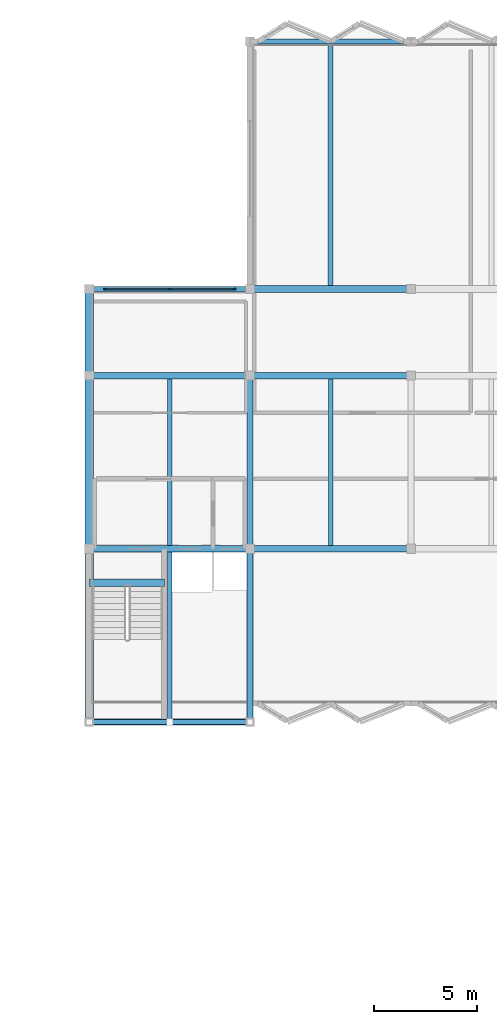
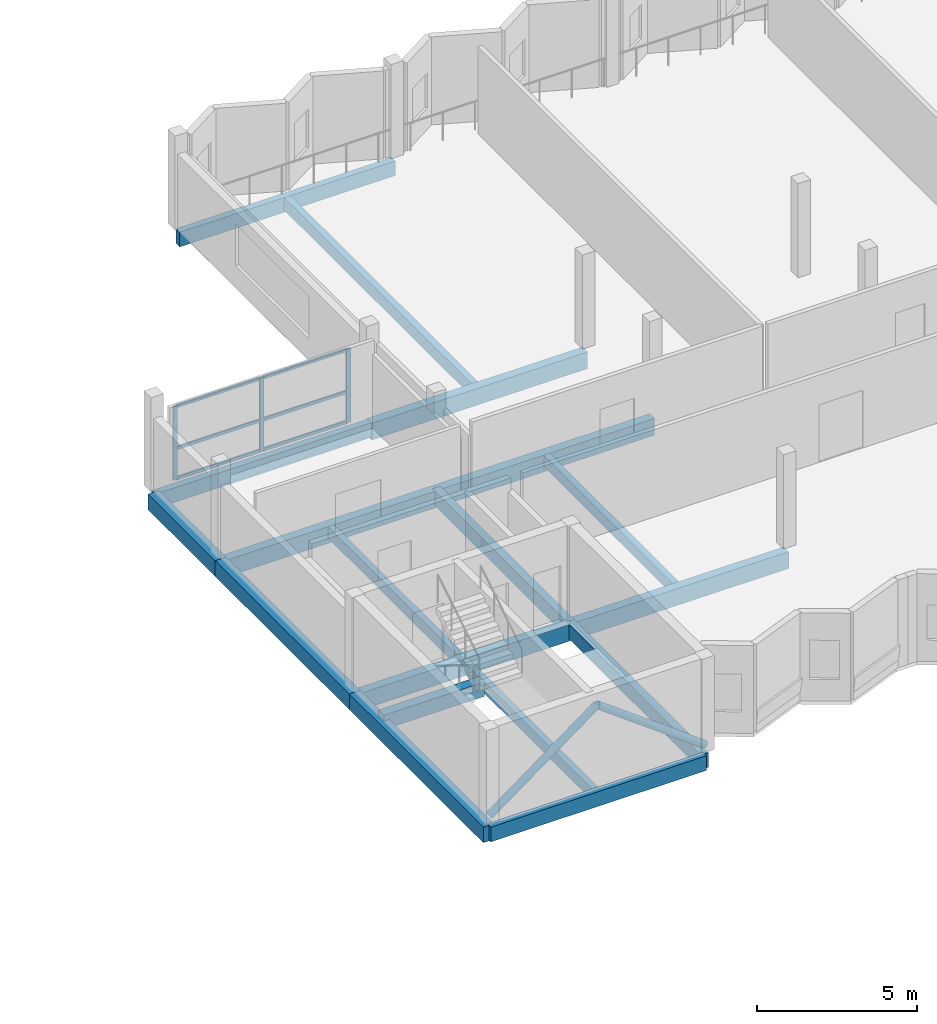
# One storey, part 10 of 25: 18 beams, 11 members, 1 element without a shape of its own.
"""IFC4 building model written with IfcOpenShell, lengths in metres."""

from ifc_helpers import new_model, si_unit, direction, frame, origin, origin_2d, place, context, subcontext, project, spatial, rectangle, hollow_circle, extrude, material, material_profile, profile_set, type_object, element, aggregate, save


model = new_model("IFC4")

# Units and contexts
model_context = context("Model", 3, precision=1e-05, world=origin(), true_north=direction((0.0, 1.0)))
body_context = subcontext(model_context, "Body", "Model", "MODEL_VIEW")
ifc_project = project(units=[si_unit("LENGTHUNIT", "METRE"), si_unit("AREAUNIT", "SQUARE_METRE"), si_unit("VOLUMEUNIT", "CUBIC_METRE"), si_unit("PLANEANGLEUNIT", "RADIAN"), si_unit("MASSUNIT", "GRAM", prefix="KILO")], contexts=[model_context])

# Site, building, storey
site_placement = place(None, origin())
site = spatial("IfcSite", under=ifc_project, at=site_placement, CompositionType="ELEMENT")
building_placement = place(site_placement, origin())
building = spatial("IfcBuilding", under=site, at=building_placement, Name="Vharandega Faculty of Natural Sciences", CompositionType="ELEMENT")
storey_placement = place(building_placement, frame((0.0, 0.0, 25.199951171875)))
storey = spatial("IfcBuildingStorey", under=building, at=storey_placement, Name="L06", CompositionType="ELEMENT", Elevation=25.199951171875)

# Curtain wall, members
ifc_material_1 = material(Name="Aluminium and solar-control glass curtain wall", Category="aluminium")
curtain_wall_type = type_object("IfcCurtainWallType", Name="Unitised Curtain Wall System CW-28", PredefinedType="NOTDEFINED", material=ifc_material_1)
curtain_wall_placement = place(storey_placement, origin())
curtain_wall = element("IfcCurtainWall", 1, at=curtain_wall_placement, inside=storey, type_object=curtain_wall_type, Name="Curtain Wall CW-L06-027", PredefinedType="NOTDEFINED")
ifc_material_2 = material(Name="Thermally broken aluminium 6063-T6", Category="aluminium")
ifc_material_profile_1 = material_profile(ifc_material_2, rectangle(XDim=0.06005859375, YDim=0.159912109375, at=origin_2d()), Name="ALU 60x160")
ifc_profile_set_1 = profile_set([ifc_material_profile_1], Name="Thermally broken aluminium 6063-T6")
member_type_1 = type_object("IfcMemberType", Name="CW Mullion 60x160", PredefinedType="MULLION", material=ifc_profile_set_1)
member_1_placement = place(storey_placement, frame((115.570068359375, 85.0, 0.0), z_axis=(0.0, 0.0, 1.0), x_axis=(0.0, 1.0, 0.0)))
member_1 = element("IfcMember", 2, at=member_1_placement, type_object=member_type_1, Name="CW-28 mullion 1", PredefinedType="MULLION", context=body_context, shape_type="SweptSolid", body=[
    extrude(rectangle(XDim=0.06005859375, YDim=0.159912109375, at=origin_2d()), origin(), (0.0, 0.0, 1.0), 2.820068359375),
])
member_2_placement = place(storey_placement, frame((118.699951171875, 85.0, 0.0), z_axis=(0.0, 0.0, 1.0), x_axis=(0.0, 1.0, 0.0)))
member_2 = element("IfcMember", 3, at=member_2_placement, type_object=member_type_1, Name="CW-28 mullion 2", PredefinedType="MULLION", context=body_context, shape_type="SweptSolid", body=[
    extrude(rectangle(XDim=0.06005859375, YDim=0.159912109375, at=origin_2d()), origin(), (0.0, 0.0, 1.0), 2.820068359375),
])
member_3_placement = place(storey_placement, frame((121.830078125, 85.0, 0.0), z_axis=(0.0, 0.0, 1.0), x_axis=(0.0, 1.0, 0.0)))
member_3 = element("IfcMember", 4, at=member_3_placement, type_object=member_type_1, Name="CW-28 mullion 3", PredefinedType="MULLION", context=body_context, shape_type="SweptSolid", body=[
    extrude(rectangle(XDim=0.06005859375, YDim=0.159912109375, at=origin_2d()), origin(), (0.0, 0.0, 1.0), 2.820068359375),
])
ifc_material_3 = material(Name="Thermally broken aluminium 6063-T6", Category="aluminium")
ifc_material_profile_2 = material_profile(ifc_material_3, rectangle(XDim=0.06005859375, YDim=0.1201171875, at=origin_2d()), Name="ALU 60x120")
ifc_profile_set_2 = profile_set([ifc_material_profile_2], Name="Thermally broken aluminium 6063-T6")
member_type_2 = type_object("IfcMemberType", Name="CW Transom 60x120", PredefinedType="USERDEFINED", material=ifc_profile_set_2)
member_4_placement = place(storey_placement, frame((115.60009765625, 85.0, 0.030029296875), z_axis=(1.0, 0.0, 0.0), x_axis=(0.0, 1.0, 0.0)))
member_4 = element("IfcMember", 5, at=member_4_placement, type_object=member_type_2, Name="CW-28 transom 1.1", ObjectType="TRANSOM", PredefinedType="USERDEFINED", context=body_context, shape_type="SweptSolid", body=[
    extrude(rectangle(XDim=0.06005859375, YDim=0.1201171875, at=origin_2d()), origin(), (0.0, 0.0, 1.0), 3.06982421875),
])
member_5_placement = place(storey_placement, frame((115.60009765625, 85.0, 1.1845703125), z_axis=(1.0, 0.0, 0.0), x_axis=(0.0, 1.0, 0.0)))
member_5 = element("IfcMember", 6, at=member_5_placement, type_object=member_type_2, Name="CW-28 transom 1.2", ObjectType="TRANSOM", PredefinedType="USERDEFINED", context=body_context, shape_type="SweptSolid", body=[
    extrude(rectangle(XDim=0.06005859375, YDim=0.1201171875, at=origin_2d()), origin(), (0.0, 0.0, 1.0), 3.06982421875),
])
member_6_placement = place(storey_placement, frame((115.60009765625, 85.0, 2.7900390625), z_axis=(1.0, 0.0, 0.0), x_axis=(0.0, 1.0, 0.0)))
member_6 = element("IfcMember", 7, at=member_6_placement, type_object=member_type_2, Name="CW-28 transom 1.3", ObjectType="TRANSOM", PredefinedType="USERDEFINED", context=body_context, shape_type="SweptSolid", body=[
    extrude(rectangle(XDim=0.06005859375, YDim=0.1201171875, at=origin_2d()), origin(), (0.0, 0.0, 1.0), 3.06982421875),
])
member_7_placement = place(storey_placement, frame((118.72998046875, 85.0, 0.030029296875), z_axis=(1.0, 0.0, 0.0), x_axis=(0.0, 1.0, 0.0)))
member_7 = element("IfcMember", 8, at=member_7_placement, type_object=member_type_2, Name="CW-28 transom 2.1", ObjectType="TRANSOM", PredefinedType="USERDEFINED", context=body_context, shape_type="SweptSolid", body=[
    extrude(rectangle(XDim=0.06005859375, YDim=0.1201171875, at=origin_2d()), origin(), (0.0, 0.0, 1.0), 3.070068359375),
])
member_8_placement = place(storey_placement, frame((118.72998046875, 85.0, 1.1845703125), z_axis=(1.0, 0.0, 0.0), x_axis=(0.0, 1.0, 0.0)))
member_8 = element("IfcMember", 9, at=member_8_placement, type_object=member_type_2, Name="CW-28 transom 2.2", ObjectType="TRANSOM", PredefinedType="USERDEFINED", context=body_context, shape_type="SweptSolid", body=[
    extrude(rectangle(XDim=0.06005859375, YDim=0.1201171875, at=origin_2d()), origin(), (0.0, 0.0, 1.0), 3.070068359375),
])
member_9_placement = place(storey_placement, frame((118.72998046875, 85.0, 2.7900390625), z_axis=(1.0, 0.0, 0.0), x_axis=(0.0, 1.0, 0.0)))
member_9 = element("IfcMember", 10, at=member_9_placement, type_object=member_type_2, Name="CW-28 transom 2.3", ObjectType="TRANSOM", PredefinedType="USERDEFINED", context=body_context, shape_type="SweptSolid", body=[
    extrude(rectangle(XDim=0.06005859375, YDim=0.1201171875, at=origin_2d()), origin(), (0.0, 0.0, 1.0), 3.070068359375),
])
aggregate(curtain_wall, [member_1, member_2, member_3, member_4, member_5, member_6, member_7, member_8, member_9])

# Beams
ifc_material_4 = material(Name="Glulam GL28h", Category="wood")
ifc_material_profile_3 = material_profile(ifc_material_4, rectangle(XDim=0.280029296875, YDim=0.56005859375, at=origin_2d()), Name="GL28h 280x560")
ifc_profile_set_3 = profile_set([ifc_material_profile_3], Name="Glulam GL28h")
beam_type_1 = type_object("IfcBeamType", Name="Glulam Floor Beam 280x560", PredefinedType="BEAM", material=ifc_profile_set_3)
beam_1_placement = place(storey_placement, frame((122.60009765625, 64.0, -0.5), z_axis=(0.0, 1.0, 0.0), x_axis=(-1.0, 0.0, 0.0)))
element("IfcBeam", 11, at=beam_1_placement, inside=storey, type_object=beam_type_1, Name="Beam L06 16/J-K", PredefinedType="BEAM", context=body_context, shape_type="SweptSolid", body=[
    extrude(rectangle(XDim=0.280029296875, YDim=0.56005859375, at=origin_2d()), origin(), (0.0, 0.0, 1.0), 8.39990234375),
])
beam_2_placement = place(storey_placement, frame((122.60009765625, 72.39990234375, -0.5), z_axis=(0.0, 1.0, 0.0), x_axis=(-1.0, 0.0, 0.0)))
element("IfcBeam", 12, at=beam_2_placement, inside=storey, type_object=beam_type_1, Name="Beam L06 16/K-L", PredefinedType="BEAM", context=body_context, shape_type="SweptSolid", body=[
    extrude(rectangle(XDim=0.280029296875, YDim=0.56005859375, at=origin_2d()), origin(), (0.0, 0.0, 1.0), 8.400146484375),
])
ifc_material_5 = material(Name="Glulam GL28h", Category="wood")
ifc_material_profile_4 = material_profile(ifc_material_5, rectangle(XDim=0.320068359375, YDim=0.639892578125, at=origin_2d()), Name="GL28h 320x640")
ifc_profile_set_4 = profile_set([ifc_material_profile_4], Name="Glulam GL28h")
beam_type_2 = type_object("IfcBeamType", Name="Glulam Floor Beam 320x640", PredefinedType="BEAM", material=ifc_profile_set_4)
beam_3_placement = place(storey_placement, frame((114.800048828125, 72.39990234375, -0.5400390625), z_axis=(1.0, 0.0, 0.0), x_axis=(0.0, 1.0, 0.0)))
element("IfcBeam", 13, at=beam_3_placement, inside=storey, type_object=beam_type_2, Name="Beam L06 K/15-16", PredefinedType="BEAM", context=body_context, shape_type="SweptSolid", body=[
    extrude(rectangle(XDim=0.320068359375, YDim=0.639892578125, at=origin_2d()), origin(), (0.0, 0.0, 1.0), 7.800048828125),
])
beam_4_placement = place(storey_placement, frame((122.60009765625, 72.39990234375, -0.5400390625), z_axis=(1.0, 0.0, 0.0), x_axis=(0.0, 1.0, 0.0)))
element("IfcBeam", 14, at=beam_4_placement, inside=storey, type_object=beam_type_2, Name="Beam L06 K/16-17", PredefinedType="BEAM", context=body_context, shape_type="SweptSolid", body=[
    extrude(rectangle(XDim=0.320068359375, YDim=0.639892578125, at=origin_2d()), origin(), (0.0, 0.0, 1.0), 7.7998046875),
])
beam_5_placement = place(storey_placement, frame((114.800048828125, 80.800048828125, -0.5400390625), z_axis=(1.0, 0.0, 0.0), x_axis=(0.0, 1.0, 0.0)))
element("IfcBeam", 15, at=beam_5_placement, inside=storey, type_object=beam_type_2, Name="Beam L06 L/15-16", PredefinedType="BEAM", context=body_context, shape_type="SweptSolid", body=[
    extrude(rectangle(XDim=0.320068359375, YDim=0.639892578125, at=origin_2d()), origin(), (0.0, 0.0, 1.0), 7.800048828125),
])
for number, where, z_axis, x_axis, name in (
    (16, (122.60009765625, 80.800048828125, -0.5400390625), (1.0, 0.0, 0.0), (0.0, 1.0, 0.0), "Beam L06 L/16-17"),
    (17, (122.60009765625, 85.0, -0.5400390625), (1.0, 0.0, 0.0), (0.0, 1.0, 0.0), "Beam L06 M/16-17"),
):
    element("IfcBeam", number, at=place(storey_placement, frame(where, z_axis=z_axis, x_axis=x_axis)), inside=storey, type_object=beam_type_2, Name=name, PredefinedType="BEAM", context=body_context, shape_type="SweptSolid", body=[
        extrude(rectangle(XDim=0.320068359375, YDim=0.639892578125, at=origin_2d()), origin(), (0.0, 0.0, 1.0), 7.7998046875),
    ])
ifc_material_6 = material(Name="Glulam GL28h", Category="wood")
ifc_material_profile_5 = material_profile(ifc_material_6, rectangle(XDim=0.219970703125, YDim=0.43994140625, at=origin_2d()), Name="GL28h 220x440")
ifc_profile_set_5 = profile_set([ifc_material_profile_5], Name="Glulam GL28h")
beam_type_3 = type_object("IfcBeamType", Name="Glulam Secondary Joist 220x440", PredefinedType="JOIST", material=ifc_profile_set_5)
beam_6_placement = place(storey_placement, frame((118.699951171875, 64.1201171875, -0.43994140625), z_axis=(0.0, 1.0, 0.0), x_axis=(-1.0, 0.0, 0.0)))
element("IfcBeam", 18, at=beam_6_placement, inside=storey, type_object=beam_type_3, Name="Secondary Joist L06 15-16/J-K", PredefinedType="JOIST", context=body_context, shape_type="SweptSolid", body=[
    extrude(rectangle(XDim=0.219970703125, YDim=0.43994140625, at=origin_2d()), origin(), (0.0, 0.0, 1.0), 8.119873046875),
])
for number, where, z_axis, x_axis, name in (
    (19, (118.699951171875, 72.56005859375, -0.43994140625), (0.0, 1.0, 0.0), (-1.0, 0.0, 0.0), "Secondary Joist L06 15-16/K-L"),
    (20, (126.5, 72.56005859375, -0.43994140625), (0.0, 1.0, 0.0), (-1.0, 0.0, 0.0), "Secondary Joist L06 16-17/K-L"),
):
    element("IfcBeam", number, at=place(storey_placement, frame(where, z_axis=z_axis, x_axis=x_axis)), inside=storey, type_object=beam_type_3, Name=name, PredefinedType="JOIST", context=body_context, shape_type="SweptSolid", body=[
        extrude(rectangle(XDim=0.219970703125, YDim=0.43994140625, at=origin_2d()), origin(), (0.0, 0.0, 1.0), 8.079833984375),
    ])
ifc_material_7 = material(Name="Glulam GL28h", Category="wood")
ifc_material_profile_6 = material_profile(ifc_material_7, rectangle(XDim=0.239990234375, YDim=0.47998046875, at=origin_2d()), Name="GL28h 240x480")
ifc_profile_set_6 = profile_set([ifc_material_profile_6], Name="Glulam GL28h")
beam_type_4 = type_object("IfcBeamType", Name="Glulam Secondary Joist 240x480", PredefinedType="JOIST", material=ifc_profile_set_6)
beam_7_placement = place(storey_placement, frame((126.5, 85.159912109375, -0.4599609375), z_axis=(0.0, 1.0, 0.0), x_axis=(-1.0, 0.0, 0.0)))
element("IfcBeam", 21, at=beam_7_placement, inside=storey, type_object=beam_type_4, Name="Secondary Joist L06 16-17/M-N", PredefinedType="JOIST", context=body_context, shape_type="SweptSolid", body=[
    extrude(rectangle(XDim=0.239990234375, YDim=0.47998046875, at=origin_2d()), origin(), (0.0, 0.0, 1.0), 11.719970703125),
])
ifc_material_8 = material(Name="Glulam GL28h", Category="wood")
ifc_material_profile_7 = material_profile(ifc_material_8, rectangle(XDim=0.239990234375, YDim=0.56005859375, at=origin_2d()), Name="GL28h 240x560")
ifc_profile_set_7 = profile_set([ifc_material_profile_7], Name="Glulam GL28h")
beam_type_5 = type_object("IfcBeamType", Name="Glulam Spandrel Edge Beam 240x560", PredefinedType="SPANDREL", material=ifc_profile_set_7)
for number, where, z_axis, x_axis, name in (
    (22, (114.800048828125, 64.0, -0.5), (1.0, 0.0, 0.0), (0.0, 1.0, 0.0), "Beam L06 J/15-16"),
    (23, (114.800048828125, 85.0, -0.5), (1.0, 0.0, 0.0), (0.0, 1.0, 0.0), "Beam L06 M/15-16"),
):
    element("IfcBeam", number, at=place(storey_placement, frame(where, z_axis=z_axis, x_axis=x_axis)), inside=storey, type_object=beam_type_5, Name=name, PredefinedType="SPANDREL", context=body_context, shape_type="SweptSolid", body=[
        extrude(rectangle(XDim=0.239990234375, YDim=0.56005859375, at=origin_2d()), origin(), (0.0, 0.0, 1.0), 7.800048828125),
    ])
beam_8_placement = place(storey_placement, frame((122.60009765625, 97.0, -0.5), z_axis=(1.0, 0.0, 0.0), x_axis=(0.0, 1.0, 0.0)))
element("IfcBeam", 24, at=beam_8_placement, inside=storey, type_object=beam_type_5, Name="Beam L06 N/16-17", PredefinedType="SPANDREL", context=body_context, shape_type="SweptSolid", body=[
    extrude(rectangle(XDim=0.239990234375, YDim=0.56005859375, at=origin_2d()), origin(), (0.0, 0.0, 1.0), 7.7998046875),
])
ifc_material_9 = material(Name="Glulam GL32h", Category="wood")
ifc_material_profile_8 = material_profile(ifc_material_9, rectangle(XDim=0.39990234375, YDim=0.60009765625, at=origin_2d()), Name="GL32h 400x600")
ifc_profile_set_8 = profile_set([ifc_material_profile_8], Name="Glulam GL32h")
beam_type_6 = type_object("IfcBeamType", Name="Glulam Spine Girder 400x600", PredefinedType="BEAM", material=ifc_profile_set_8)
beam_9_placement = place(storey_placement, frame((114.800048828125, 64.0, -0.52001953125), z_axis=(0.0, 1.0, 0.0), x_axis=(-1.0, 0.0, 0.0)))
element("IfcBeam", 25, at=beam_9_placement, inside=storey, type_object=beam_type_6, Name="Beam L06 15/J-K", PredefinedType="BEAM", context=body_context, shape_type="SweptSolid", body=[
    extrude(rectangle(XDim=0.39990234375, YDim=0.60009765625, at=origin_2d()), origin(), (0.0, 0.0, 1.0), 8.39990234375),
])
beam_10_placement = place(storey_placement, frame((114.800048828125, 72.39990234375, -0.52001953125), z_axis=(0.0, 1.0, 0.0), x_axis=(-1.0, 0.0, 0.0)))
element("IfcBeam", 26, at=beam_10_placement, inside=storey, type_object=beam_type_6, Name="Beam L06 15/K-L", PredefinedType="BEAM", context=body_context, shape_type="SweptSolid", body=[
    extrude(rectangle(XDim=0.39990234375, YDim=0.60009765625, at=origin_2d()), origin(), (0.0, 0.0, 1.0), 8.400146484375),
])
beam_11_placement = place(storey_placement, frame((114.800048828125, 80.800048828125, -0.52001953125), z_axis=(0.0, 1.0, 0.0), x_axis=(-1.0, 0.0, 0.0)))
element("IfcBeam", 27, at=beam_11_placement, inside=storey, type_object=beam_type_6, Name="Beam L06 15/L-M", PredefinedType="BEAM", context=body_context, shape_type="SweptSolid", body=[
    extrude(rectangle(XDim=0.39990234375, YDim=0.60009765625, at=origin_2d()), origin(), (0.0, 0.0, 1.0), 4.199951171875),
])

# Members
ifc_material_10 = material(Name="Steel S355", Category="steel")
ifc_material_profile_9 = material_profile(ifc_material_10, hollow_circle(Radius=0.136474609375, WallThickness=0.01611328125, at=origin_2d()), Name="CHS 273x16")
ifc_profile_set_9 = profile_set([ifc_material_profile_9], Name="Steel S355")
member_type_3 = type_object("IfcMemberType", Name="Perimeter Chevron Brace CHS 273", PredefinedType="BRACE", material=ifc_profile_set_9)
member_10_placement = place(storey_placement, frame((114.800048828125, 64.0, 0.150146484375), z_axis=(0.804437709715, 0.0, 0.594037011631), x_axis=(0.0, 1.0, 0.0)))
element("IfcMember", 28, at=member_10_placement, inside=storey, type_object=member_type_3, Name="Chevron Brace J L06-1", PredefinedType="BRACE", context=body_context, shape_type="SweptSolid", body=[
    extrude(hollow_circle(Radius=0.136474609375, WallThickness=0.01611328125, at=origin_2d()), origin(), (0.0, 0.0, 1.0), 4.847900390625),
])
member_11_placement = place(storey_placement, frame((122.60009765625, 64.0, 0.150146484375), z_axis=(-0.804455479385, 0.0, 0.594012947407), x_axis=(0.0, -1.0, 0.0)))
element("IfcMember", 29, at=member_11_placement, inside=storey, type_object=member_type_3, Name="Chevron Brace J L06-2", PredefinedType="BRACE", context=body_context, shape_type="SweptSolid", body=[
    extrude(hollow_circle(Radius=0.136474609375, WallThickness=0.01611328125, at=origin_2d()), origin(), (0.0, 0.0, 1.0), 4.84814453125),
])

# Beam
ifc_material_11 = material(Name="Concrete C40/50", Category="concrete")
ifc_material_profile_10 = material_profile(ifc_material_11, rectangle(XDim=0.35009765625, YDim=0.550048828125, at=origin_2d()), Name="RC 350x550")
ifc_profile_set_10 = profile_set([ifc_material_profile_10], Name="Concrete C40/50")
beam_type_7 = type_object("IfcBeamType", Name="Stair Header Trimmer Beam 350x550", PredefinedType="BEAM", material=ifc_profile_set_10)
beam_12_placement = place(storey_placement, frame((114.800048828125, 70.75, -0.27490234375), z_axis=(1.0, 0.0, 0.0), x_axis=(0.0, 1.0, 0.0)))
element("IfcBeam", 30, at=beam_12_placement, inside=storey, type_object=beam_type_7, Name="Stair Landing Trimmer Beam C1 L06", PredefinedType="BEAM", context=body_context, shape_type="SweptSolid", body=[
    extrude(rectangle(XDim=0.35009765625, YDim=0.550048828125, at=origin_2d()), origin(), (0.0, 0.0, 1.0), 3.639892578125),
])

save(model, "model.ifc")
